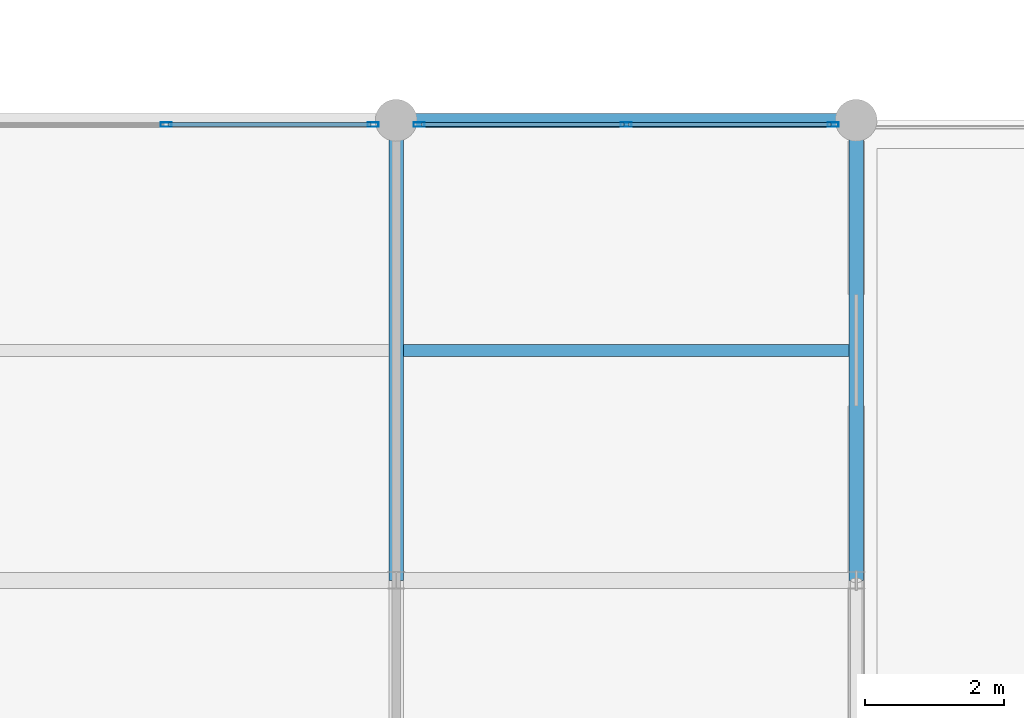
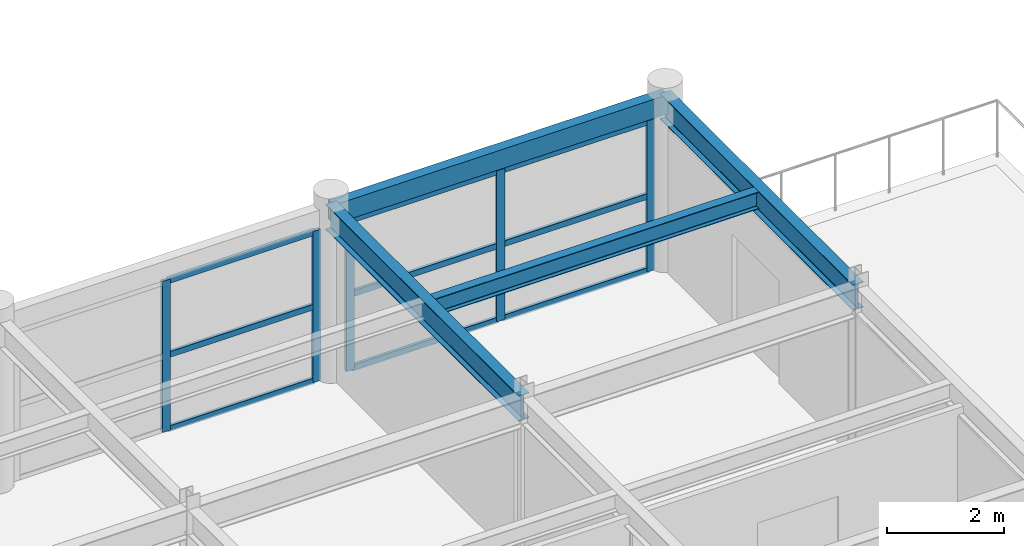
# One storey, part 14 of 28: 14 members, 4 beams, 2 elements without a shape of their own.
"""IFC4 building model written with IfcOpenShell, lengths in metres."""

from ifc_helpers import new_model, si_unit, direction, frame, origin, origin_2d, place, context, subcontext, project, spatial, hollow_rectangle, i_section, extrude, material, material_profile, profile_set, type_object, element, aggregate, save


model = new_model("IFC4")

# Units and contexts
model_context = context("Model", 3, precision=1e-05, world=origin(), true_north=direction((0.0, 1.0)))
body_context = subcontext(model_context, "Body", "Model", "MODEL_VIEW")
ifc_project = project(units=[si_unit("LENGTHUNIT", "METRE"), si_unit("AREAUNIT", "SQUARE_METRE"), si_unit("VOLUMEUNIT", "CUBIC_METRE"), si_unit("PLANEANGLEUNIT", "RADIAN"), si_unit("MASSUNIT", "GRAM", prefix="KILO")], contexts=[model_context])

# Site, building, storey
site_placement = place(None, origin())
site = spatial("IfcSite", under=ifc_project, at=site_placement, CompositionType="ELEMENT")
building_placement = place(site_placement, origin())
building = spatial("IfcBuilding", under=site, at=building_placement, Name="Karori Crest Natural Sciences Institute", CompositionType="ELEMENT")
storey_placement = place(building_placement, frame((0.0, 0.0, 34.300048828125)))
storey = spatial("IfcBuildingStorey", under=building, at=storey_placement, Name="L08", CompositionType="ELEMENT", Elevation=34.300048828125)

# Beams
ifc_material_1 = material(Name="Structural steel AS/NZS 3679.1 Grade 350", Category="steel")
ifc_material_profile_1 = material_profile(ifc_material_1, i_section(OverallWidth=0.208984375, OverallDepth=0.532958984375, WebThickness=0.01025390625, FlangeThickness=0.015625, FilletRadius=0.013916015625, at=origin_2d()), Name="530UB92.4")
ifc_profile_set_1 = profile_set([ifc_material_profile_1], Name="Structural steel AS/NZS 3679.1 Grade 350")
beam_type_1 = type_object("IfcBeamType", Name="BT-05", PredefinedType="BEAM", material=ifc_profile_set_1)
beam_1_placement = place(storey_placement, frame((143.199951171875, 14.0, 3.303466796875), z_axis=(0.0, 1.0, 0.0), x_axis=(-1.0, 0.0, 0.0)))
element("IfcBeam", 1, at=beam_1_placement, inside=storey, type_object=beam_type_1, Name="Beam B-2741", PredefinedType="BEAM", context=body_context, shape_type="SweptSolid", body=[
    extrude(i_section(OverallWidth=0.208984375, OverallDepth=0.532958984375, WebThickness=0.01025390625, FlangeThickness=0.015625, FilletRadius=0.013916015625, at=origin_2d()), origin(), (0.0, 0.0, 1.0), 6.60009765625),
])
ifc_material_profile_2 = material_profile(ifc_material_1, i_section(OverallWidth=0.208984375, OverallDepth=0.532958984375, WebThickness=0.01025390625, FlangeThickness=0.015625, FilletRadius=0.013916015625, at=origin_2d()), Name="530UB92.4")
ifc_profile_set_2 = profile_set([ifc_material_profile_2], Name="Structural steel AS/NZS 3679.1 Grade 350")
beam_type_2 = type_object("IfcBeamType", Name="BT-05-EL", PredefinedType="BEAM", material=ifc_profile_set_2)
beam_2_placement = place(storey_placement, frame((149.800048828125, 14.0, 3.303466796875), z_axis=(0.0, 1.0, 0.0), x_axis=(-1.0, 0.0, 0.0)))
element("IfcBeam", 2, at=beam_2_placement, inside=storey, type_object=beam_type_2, Name="Beam B-2744", PredefinedType="BEAM", context=body_context, shape_type="SweptSolid", body=[
    extrude(i_section(OverallWidth=0.208984375, OverallDepth=0.532958984375, WebThickness=0.01025390625, FlangeThickness=0.015625, FilletRadius=0.013916015625, at=origin_2d()), origin(), (0.0, 0.0, 1.0), 6.60009765625),
])
ifc_material_profile_3 = material_profile(ifc_material_1, i_section(OverallWidth=0.172119140625, OverallDepth=0.35888671875, WebThickness=0.008056640625, FlangeThickness=0.012939453125, FilletRadius=0.010986328125, at=origin_2d()), Name="360UB56.7")
ifc_profile_set_3 = profile_set([ifc_material_profile_3], Name="Structural steel AS/NZS 3679.1 Grade 350")
beam_type_3 = type_object("IfcBeamType", Name="BT-08", PredefinedType="BEAM", material=ifc_profile_set_3)
beam_3_placement = place(storey_placement, frame((143.304443359375, 17.300048828125, 3.390380859375), z_axis=(1.0, 0.0, 0.0), x_axis=(0.0, 1.0, 0.0)))
element("IfcBeam", 3, at=beam_3_placement, inside=storey, type_object=beam_type_3, Name="Beam B-2761", PredefinedType="BEAM", context=body_context, shape_type="SweptSolid", body=[
    extrude(i_section(OverallWidth=0.172119140625, OverallDepth=0.35888671875, WebThickness=0.008056640625, FlangeThickness=0.012939453125, FilletRadius=0.010986328125, at=origin_2d()), origin(), (0.0, 0.0, 1.0), 6.39111328125),
])
ifc_material_2 = material(Name="Hollow structural steel AS/NZS 1163 Grade C350", Category="steel")
ifc_material_profile_4 = material_profile(ifc_material_2, hollow_rectangle(XDim=0.199951171875, YDim=0.39990234375, WallThickness=0.012451171875, at=origin_2d()), Name="RHS400x200x12.5")
ifc_profile_set_4 = profile_set([ifc_material_profile_4], Name="Hollow structural steel AS/NZS 1163 Grade C350")
beam_type_4 = type_object("IfcBeamType", Name="BT-14", PredefinedType="SPANDREL", material=ifc_profile_set_4)
beam_4_placement = place(storey_placement, frame((143.199951171875, 20.60009765625, 3.369873046875), z_axis=(1.0, 0.0, 0.0), x_axis=(0.0, 1.0, 0.0)))
element("IfcBeam", 4, at=beam_4_placement, inside=storey, type_object=beam_type_4, Name="Beam B-2720", PredefinedType="SPANDREL", context=body_context, shape_type="SweptSolid", body=[
    extrude(hollow_rectangle(XDim=0.199951171875, YDim=0.39990234375, WallThickness=0.012451171875, at=origin_2d()), origin(), (0.0, 0.0, 1.0), 6.60009765625),
])

# Curtain wall, members
ifc_material_3 = material(Name="Anodised architectural aluminium 6063-T6", Category="aluminium")
curtain_wall_type = type_object("IfcCurtainWallType", Name="CWT-20", PredefinedType="NOTDEFINED", material=ifc_material_3)
curtain_wall_1_placement = place(storey_placement, origin())
curtain_wall_1 = element("IfcCurtainWall", 5, at=curtain_wall_1_placement, inside=storey, type_object=curtain_wall_type, Name="Curtain wall CW-0370", PredefinedType="NOTDEFINED")
ifc_material_profile_5 = material_profile(ifc_material_3, hollow_rectangle(XDim=0.06494140625, YDim=0.159912109375, WallThickness=0.00390625, at=origin_2d()), Name="CWM160x65x4")
ifc_profile_set_5 = profile_set([ifc_material_profile_5], Name="Anodised architectural aluminium 6063-T6")
member_type_1 = type_object("IfcMemberType", Name="CWM-01", PredefinedType="MULLION", material=ifc_profile_set_5)
member_1_placement = place(storey_placement, frame((139.89990234375, 20.5400390625, 0.0), z_axis=(0.0, 0.0, 1.0), x_axis=(0.0, 1.0, 0.0)))
member_1 = element("IfcMember", 6, at=member_1_placement, type_object=member_type_1, Name="CW-0370 mullion 2", PredefinedType="MULLION", context=body_context, shape_type="SweptSolid", body=[
    extrude(hollow_rectangle(XDim=0.06494140625, YDim=0.159912109375, WallThickness=0.00390625, at=origin_2d()), origin(), (0.0, 0.0, 1.0), 3.155029296875),
])
member_2_placement = place(storey_placement, frame((142.869384765625, 20.5400390625, 0.0), z_axis=(0.0, 0.0, 1.0), x_axis=(0.0, 1.0, 0.0)))
member_2 = element("IfcMember", 7, at=member_2_placement, type_object=member_type_1, Name="CW-0370 mullion 3", PredefinedType="MULLION", context=body_context, shape_type="SweptSolid", body=[
    extrude(hollow_rectangle(XDim=0.06494140625, YDim=0.159912109375, WallThickness=0.00390625, at=origin_2d()), origin(), (0.0, 0.0, 1.0), 3.155029296875),
])

curtain_wall_2_placement = place(storey_placement, origin())
curtain_wall_2 = element("IfcCurtainWall", 8, at=curtain_wall_2_placement, inside=storey, type_object=curtain_wall_type, Name="Curtain wall CW-0371", PredefinedType="NOTDEFINED")
member_3_placement = place(storey_placement, frame((143.530517578125, 20.5400390625, 0.0), z_axis=(0.0, 0.0, 1.0), x_axis=(0.0, 1.0, 0.0)))
member_3 = element("IfcMember", 9, at=member_3_placement, type_object=member_type_1, Name="CW-0371 mullion 1", PredefinedType="MULLION", context=body_context, shape_type="SweptSolid", body=[
    extrude(hollow_rectangle(XDim=0.06494140625, YDim=0.159912109375, WallThickness=0.00390625, at=origin_2d()), origin(), (0.0, 0.0, 1.0), 3.155029296875),
])
member_4_placement = place(storey_placement, frame((146.5, 20.5400390625, 0.0), z_axis=(0.0, 0.0, 1.0), x_axis=(0.0, 1.0, 0.0)))
member_4 = element("IfcMember", 10, at=member_4_placement, type_object=member_type_1, Name="CW-0371 mullion 2", PredefinedType="MULLION", context=body_context, shape_type="SweptSolid", body=[
    extrude(hollow_rectangle(XDim=0.06494140625, YDim=0.159912109375, WallThickness=0.00390625, at=origin_2d()), origin(), (0.0, 0.0, 1.0), 3.155029296875),
])
member_5_placement = place(storey_placement, frame((149.469482421875, 20.5400390625, 0.0), z_axis=(0.0, 0.0, 1.0), x_axis=(0.0, 1.0, 0.0)))
member_5 = element("IfcMember", 11, at=member_5_placement, type_object=member_type_1, Name="CW-0371 mullion 3", PredefinedType="MULLION", context=body_context, shape_type="SweptSolid", body=[
    extrude(hollow_rectangle(XDim=0.06494140625, YDim=0.159912109375, WallThickness=0.00390625, at=origin_2d()), origin(), (0.0, 0.0, 1.0), 3.155029296875),
])

# Member
ifc_material_profile_6 = material_profile(ifc_material_3, hollow_rectangle(XDim=0.06005859375, YDim=0.1201171875, WallThickness=0.00390625, at=origin_2d()), Name="CWT120x60x4")
ifc_profile_set_6 = profile_set([ifc_material_profile_6], Name="Anodised architectural aluminium 6063-T6")
member_type_2 = type_object("IfcMemberType", Name="CWT-TR1", PredefinedType="USERDEFINED", material=ifc_profile_set_6)
member_6_placement = place(storey_placement, frame((139.9326171875, 20.5400390625, 0.030029296875), z_axis=(1.0, 0.0, 0.0), x_axis=(0.0, 1.0, 0.0)))
member_6 = element("IfcMember", 12, at=member_6_placement, type_object=member_type_2, Name="CW-0370 transom 2.1", ObjectType="TRANSOM", PredefinedType="USERDEFINED", context=body_context, shape_type="SweptSolid", body=[
    extrude(hollow_rectangle(XDim=0.06005859375, YDim=0.1201171875, WallThickness=0.00390625, at=origin_2d()), origin(), (0.0, 0.0, 1.0), 2.904296875),
])

member_7_placement = place(storey_placement, frame((139.9326171875, 20.5400390625, 1.577392578125), z_axis=(1.0, 0.0, 0.0), x_axis=(0.0, 1.0, 0.0)))
member_7 = element("IfcMember", 13, at=member_7_placement, type_object=member_type_2, Name="CW-0370 transom 2.2", ObjectType="TRANSOM", PredefinedType="USERDEFINED", context=body_context, shape_type="SweptSolid", body=[
    extrude(hollow_rectangle(XDim=0.06005859375, YDim=0.1201171875, WallThickness=0.00390625, at=origin_2d()), origin(), (0.0, 0.0, 1.0), 2.904296875),
])

member_8_placement = place(storey_placement, frame((139.9326171875, 20.5400390625, 3.125), z_axis=(1.0, 0.0, 0.0), x_axis=(0.0, 1.0, 0.0)))
member_8 = element("IfcMember", 14, at=member_8_placement, type_object=member_type_2, Name="CW-0370 transom 2.3", ObjectType="TRANSOM", PredefinedType="USERDEFINED", context=body_context, shape_type="SweptSolid", body=[
    extrude(hollow_rectangle(XDim=0.06005859375, YDim=0.1201171875, WallThickness=0.00390625, at=origin_2d()), origin(), (0.0, 0.0, 1.0), 2.904296875),
])

aggregate(curtain_wall_1, [member_1, member_2, member_6, member_7, member_8])

member_9_placement = place(storey_placement, frame((143.56298828125, 20.5400390625, 0.030029296875), z_axis=(1.0, 0.0, 0.0), x_axis=(0.0, 1.0, 0.0)))
member_9 = element("IfcMember", 15, at=member_9_placement, type_object=member_type_2, Name="CW-0371 transom 1.1", ObjectType="TRANSOM", PredefinedType="USERDEFINED", context=body_context, shape_type="SweptSolid", body=[
    extrude(hollow_rectangle(XDim=0.06005859375, YDim=0.1201171875, WallThickness=0.00390625, at=origin_2d()), origin(), (0.0, 0.0, 1.0), 2.904541015625),
])

member_10_placement = place(storey_placement, frame((143.56298828125, 20.5400390625, 1.577392578125), z_axis=(1.0, 0.0, 0.0), x_axis=(0.0, 1.0, 0.0)))
member_10 = element("IfcMember", 16, at=member_10_placement, type_object=member_type_2, Name="CW-0371 transom 1.2", ObjectType="TRANSOM", PredefinedType="USERDEFINED", context=body_context, shape_type="SweptSolid", body=[
    extrude(hollow_rectangle(XDim=0.06005859375, YDim=0.1201171875, WallThickness=0.00390625, at=origin_2d()), origin(), (0.0, 0.0, 1.0), 2.904541015625),
])

member_11_placement = place(storey_placement, frame((143.56298828125, 20.5400390625, 3.125), z_axis=(1.0, 0.0, 0.0), x_axis=(0.0, 1.0, 0.0)))
member_11 = element("IfcMember", 17, at=member_11_placement, type_object=member_type_2, Name="CW-0371 transom 1.3", ObjectType="TRANSOM", PredefinedType="USERDEFINED", context=body_context, shape_type="SweptSolid", body=[
    extrude(hollow_rectangle(XDim=0.06005859375, YDim=0.1201171875, WallThickness=0.00390625, at=origin_2d()), origin(), (0.0, 0.0, 1.0), 2.904541015625),
])

member_12_placement = place(storey_placement, frame((146.532470703125, 20.5400390625, 0.030029296875), z_axis=(1.0, 0.0, 0.0), x_axis=(0.0, 1.0, 0.0)))
member_12 = element("IfcMember", 18, at=member_12_placement, type_object=member_type_2, Name="CW-0371 transom 2.1", ObjectType="TRANSOM", PredefinedType="USERDEFINED", context=body_context, shape_type="SweptSolid", body=[
    extrude(hollow_rectangle(XDim=0.06005859375, YDim=0.1201171875, WallThickness=0.00390625, at=origin_2d()), origin(), (0.0, 0.0, 1.0), 2.904541015625),
])

member_13_placement = place(storey_placement, frame((146.532470703125, 20.5400390625, 1.577392578125), z_axis=(1.0, 0.0, 0.0), x_axis=(0.0, 1.0, 0.0)))
member_13 = element("IfcMember", 19, at=member_13_placement, type_object=member_type_2, Name="CW-0371 transom 2.2", ObjectType="TRANSOM", PredefinedType="USERDEFINED", context=body_context, shape_type="SweptSolid", body=[
    extrude(hollow_rectangle(XDim=0.06005859375, YDim=0.1201171875, WallThickness=0.00390625, at=origin_2d()), origin(), (0.0, 0.0, 1.0), 2.904541015625),
])

member_14_placement = place(storey_placement, frame((146.532470703125, 20.5400390625, 3.125), z_axis=(1.0, 0.0, 0.0), x_axis=(0.0, 1.0, 0.0)))
member_14 = element("IfcMember", 20, at=member_14_placement, type_object=member_type_2, Name="CW-0371 transom 2.3", ObjectType="TRANSOM", PredefinedType="USERDEFINED", context=body_context, shape_type="SweptSolid", body=[
    extrude(hollow_rectangle(XDim=0.06005859375, YDim=0.1201171875, WallThickness=0.00390625, at=origin_2d()), origin(), (0.0, 0.0, 1.0), 2.904541015625),
])

aggregate(curtain_wall_2, [member_3, member_4, member_5, member_9, member_10, member_11, member_12, member_13, member_14])

save(model, "model.ifc")
